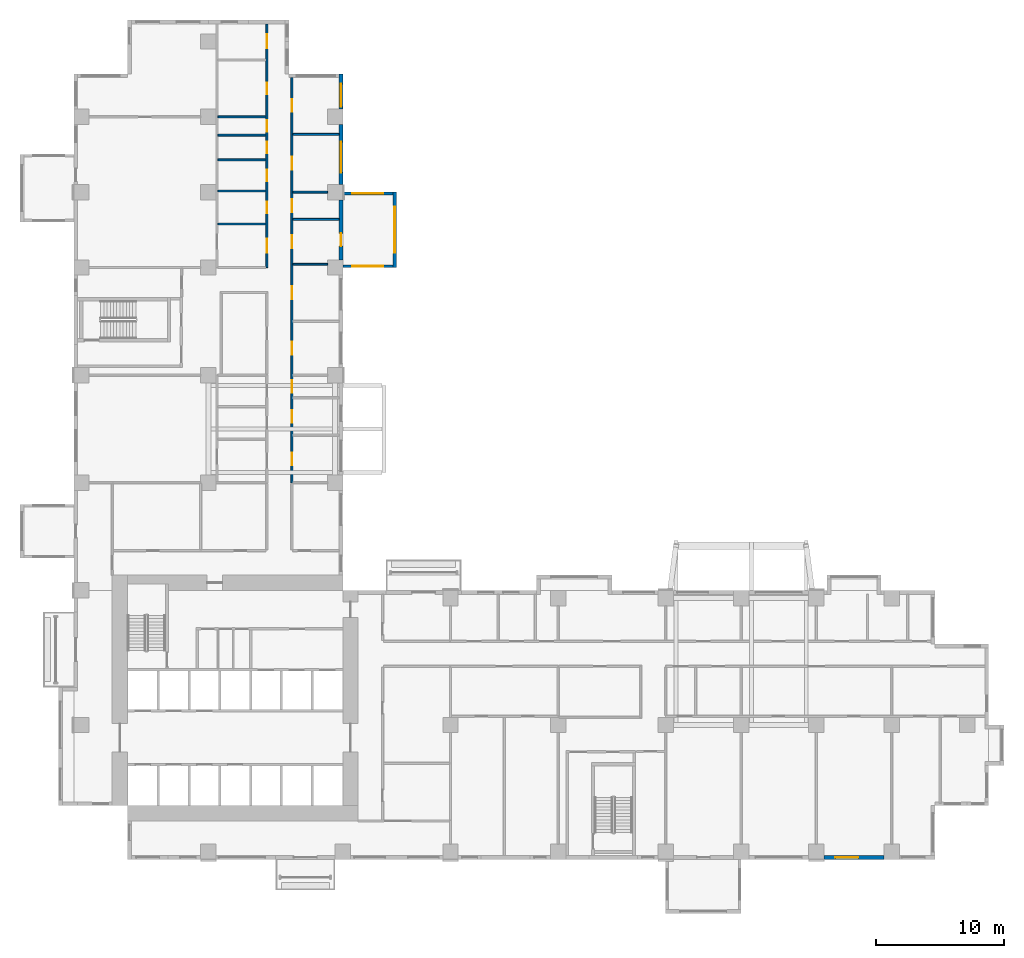
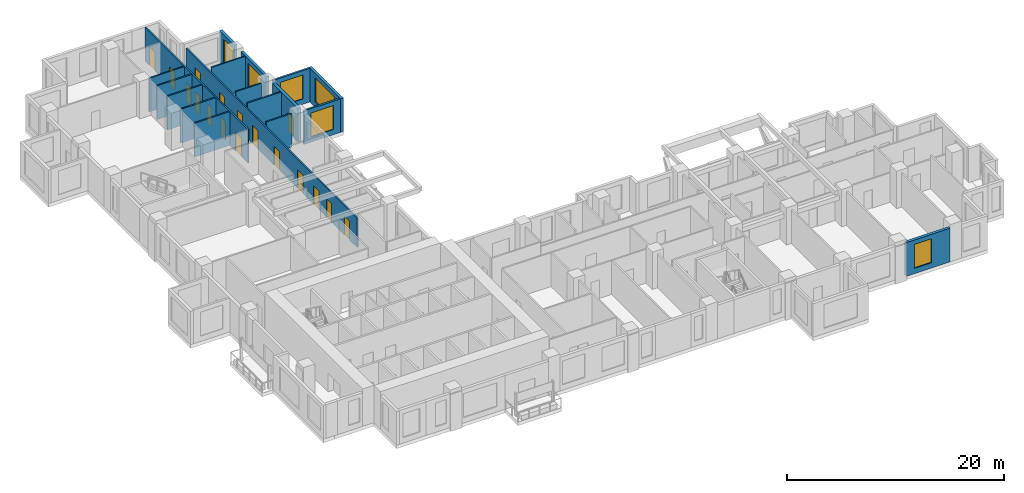
# One storey, part 8 of 14: 18 walls, 17 doors, 6 windows, 23 openings.
"""IFC4 building model written with IfcOpenShell, lengths in metres."""

from ifc_helpers import new_model, si_unit, direction, frame, frame_2d, origin, place, context, subcontext, project, spatial, rectangle, extrude, source, transform, mapped, material, layer, layer_set, type_object, element, fill, save


model = new_model("IFC4")

# Units and contexts
model_context = context("Model", 3, precision=1e-05, world=origin(), true_north=direction((0.0, 1.0)))
body_context = subcontext(model_context, "Body", "Model", "MODEL_VIEW")
ifc_project = project(units=[si_unit("LENGTHUNIT", "METRE"), si_unit("AREAUNIT", "SQUARE_METRE"), si_unit("VOLUMEUNIT", "CUBIC_METRE"), si_unit("PLANEANGLEUNIT", "RADIAN"), si_unit("MASSUNIT", "GRAM", prefix="KILO")], contexts=[model_context])

# Site, building, storey
site_placement = place(None, origin())
site = spatial("IfcSite", under=ifc_project, at=site_placement, CompositionType="ELEMENT")
building_placement = place(site_placement, origin())
building = spatial("IfcBuilding", under=site, at=building_placement, Name="Aurelian Terraces", CompositionType="ELEMENT")
storey_placement = place(building_placement, frame((0.0, 0.0, 44.7)))
storey = spatial("IfcBuildingStorey", under=building, at=storey_placement, Name="L08", CompositionType="ELEMENT", Elevation=44.7)

# Wall, opening, window
ifc_material_1 = material(Name="Terracotta rainscreen cladding", Category="masonry")
ifc_layer_1 = layer(ifc_material_1, 0.3)
ifc_layer_set_1 = layer_set([ifc_layer_1], Name="EW-300")
wall_type_1 = type_object("IfcWallType", Name="EW-300", PredefinedType="STANDARD", material=ifc_layer_set_1)
shared_shape_1 = source(origin(), body_context, "Body", "SweptSolid", [
    extrude(rectangle(XDim=4.68, YDim=0.3, at=frame_2d((2.34, 0.0))), origin(), (0.0, 0.0, 1.0), 3.8),
])
wall_1_placement = place(storey_placement, frame((58.56, 0.15, 0.0), z_axis=(0.0, 0.0, 1.0), x_axis=(1.0, 0.0, 0.0)))
wall_1 = element("IfcWall", 1, at=wall_1_placement, inside=storey, type_object=wall_type_1, Name="External wall L08 F01.10", PredefinedType="STANDARD", context=body_context, shape_type="MappedRepresentation", body=[
    mapped(shared_shape_1, transform((0.0, 0.0, 0.0), scale=1.0)),
])
shared_shape_2 = source(origin(), body_context, "Body", "SweptSolid", [
    extrude(rectangle(XDim=1.8, YDim=2.7, at=frame_2d((0.9, 1.35))), frame((0.0, 0.16, 0.0), z_axis=(0.0, -1.0, 0.0), x_axis=(1.0, 0.0, 0.0)), (0.0, 0.0, 1.0), 0.32),
])
opening_1_placement = place(wall_1_placement, frame((0.8775, 0.0, 0.6)))
opening_1 = element("IfcOpeningElement", 2, at=opening_1_placement, cuts=wall_1, Name="Opening W1827", PredefinedType="OPENING", context=body_context, shape_type="MappedRepresentation", body=[
    mapped(shared_shape_2, transform((0.0, 0.0, 0.0), scale=1.0)),
])
ifc_material_2 = material(Name="Clear glazing", Category="glass")
window_type_1 = type_object("IfcWindowType", Name="W-1800x2700", PartitioningType="SINGLE_PANEL", PredefinedType="WINDOW", material=ifc_material_2)
shared_shape_3 = source(origin(), body_context, "Body", "SweptSolid", [
    extrude(rectangle(XDim=1.8, YDim=2.7, at=frame_2d((0.9, 1.35))), frame((0.0, 0.03, 0.0), z_axis=(0.0, -1.0, 0.0), x_axis=(1.0, 0.0, 0.0)), (0.0, 0.0, 1.0), 0.06),
])
window_1_placement = place(opening_1_placement, origin())
window_1 = element("IfcWindow", 3, at=window_1_placement, inside=storey, type_object=window_type_1, Name="Window L08 L08-F01-10-0", OverallHeight=2.7, OverallWidth=1.8, PartitioningType="SINGLE_PANEL", PredefinedType="WINDOW", context=body_context, shape_type="MappedRepresentation", body=[
    mapped(shared_shape_3, transform((0.0, 0.0, 0.0), scale=1.0)),
])
fill(opening_1, window_1)

# Wall, opening, door
wall_2_placement = place(storey_placement, frame((20.85, 46.8, 0.0), z_axis=(0.0, 0.0, 1.0), x_axis=(0.0, 1.0, 0.0)))
wall_2 = element("IfcWall", 4, at=wall_2_placement, inside=storey, type_object=wall_type_1, Name="External wall L08 F08.31", PredefinedType="STANDARD", context=body_context, shape_type="MappedRepresentation", body=[
    mapped(shared_shape_1, transform((0.0, 0.0, 0.0), scale=1.0)),
])
shared_shape_4 = source(origin(), body_context, "Body", "SweptSolid", [
    extrude(rectangle(XDim=1.0, YDim=2.1, at=frame_2d((0.5, 1.05))), frame((0.0, 0.16, 0.0), z_axis=(0.0, -1.0, 0.0), x_axis=(1.0, 0.0, 0.0)), (0.0, 0.0, 1.0), 0.32),
])
opening_2_placement = place(wall_2_placement, frame((1.07, 0.0, 0.0)))
opening_2 = element("IfcOpeningElement", 5, at=opening_2_placement, cuts=wall_2, Name="Opening 808002", PredefinedType="OPENING", context=body_context, shape_type="MappedRepresentation", body=[
    mapped(shared_shape_4, transform((0.0, 0.0, 0.0), scale=1.0)),
])
ifc_material_3 = material(Name="Timber door leaf", Category="wood")
door_type_1 = type_object("IfcDoorType", Name="Room door 1000x2100 left", OperationType="SINGLE_SWING_LEFT", PredefinedType="DOOR", material=ifc_material_3)
shared_shape_5 = source(origin(), body_context, "Body", "SweptSolid", [
    extrude(rectangle(XDim=1.0, YDim=2.1, at=frame_2d((0.5, 1.05))), frame((0.0, 0.025, 0.0), z_axis=(0.0, -1.0, 0.0), x_axis=(1.0, 0.0, 0.0)), (0.0, 0.0, 1.0), 0.05),
])
door_1_placement = place(opening_2_placement, origin())
door_1 = element("IfcDoor", 6, at=door_1_placement, inside=storey, type_object=door_type_1, Name="Door 808002", OperationType="SINGLE_SWING_LEFT", OverallHeight=2.1, OverallWidth=1.0, PredefinedType="DOOR", context=body_context, shape_type="MappedRepresentation", body=[
    mapped(shared_shape_5, transform((0.0, 0.0, 0.0), scale=1.0)),
])
fill(opening_2, door_1)

# Wall, opening, window
wall_3_placement = place(storey_placement, frame((20.85, 52.68, 0.0), z_axis=(0.0, 0.0, 1.0), x_axis=(0.0, 1.0, 0.0)))
wall_3 = element("IfcWall", 7, at=wall_3_placement, inside=storey, type_object=wall_type_1, Name="External wall L08 F08.32", PredefinedType="STANDARD", context=body_context, shape_type="MappedRepresentation", body=[
    mapped(shared_shape_1, transform((0.0, 0.0, 0.0), scale=1.0)),
])
shared_shape_6 = source(origin(), body_context, "Body", "SweptSolid", [
    extrude(rectangle(XDim=2.4, YDim=2.7, at=frame_2d((1.2, 1.35))), frame((0.0, 0.16, 0.0), z_axis=(0.0, -1.0, 0.0), x_axis=(1.0, 0.0, 0.0)), (0.0, 0.0, 1.0), 0.32),
])
opening_3_placement = place(wall_3_placement, frame((0.936, 0.0, 0.6)))
opening_3 = element("IfcOpeningElement", 8, at=opening_3_placement, cuts=wall_3, Name="Opening W2427", PredefinedType="OPENING", context=body_context, shape_type="MappedRepresentation", body=[
    mapped(shared_shape_6, transform((0.0, 0.0, 0.0), scale=1.0)),
])
window_type_2 = type_object("IfcWindowType", Name="W-2400x2700", PartitioningType="SINGLE_PANEL", PredefinedType="WINDOW", material=ifc_material_2)
shared_shape_7 = source(origin(), body_context, "Body", "SweptSolid", [
    extrude(rectangle(XDim=2.4, YDim=2.7, at=frame_2d((1.2, 1.35))), frame((0.0, 0.03, 0.0), z_axis=(0.0, -1.0, 0.0), x_axis=(1.0, 0.0, 0.0)), (0.0, 0.0, 1.0), 0.06),
])
window_2_placement = place(opening_3_placement, origin())
window_2 = element("IfcWindow", 9, at=window_2_placement, inside=storey, type_object=window_type_2, Name="Window L08 L08-F08-32-0", OverallHeight=2.7, OverallWidth=2.4, PartitioningType="SINGLE_PANEL", PredefinedType="WINDOW", context=body_context, shape_type="MappedRepresentation", body=[
    mapped(shared_shape_7, transform((0.0, 0.0, 0.0), scale=1.0)),
])
fill(opening_3, window_2)

shared_shape_8 = source(origin(), body_context, "Body", "SweptSolid", [
    extrude(rectangle(XDim=2.76, YDim=0.3, at=frame_2d((1.38, 0.0))), origin(), (0.0, 0.0, 1.0), 3.8),
])
wall_4_placement = place(storey_placement, frame((20.85, 58.56, 0.0), z_axis=(0.0, 0.0, 1.0), x_axis=(0.0, 1.0, 0.0)))
wall_4 = element("IfcWall", 10, at=wall_4_placement, inside=storey, type_object=wall_type_1, Name="External wall L08 F08.33", PredefinedType="STANDARD", context=body_context, shape_type="MappedRepresentation", body=[
    mapped(shared_shape_8, transform((0.0, 0.0, 0.0), scale=1.0)),
])
opening_4_placement = place(wall_4_placement, frame((0.18, 0.0, 0.6)))
opening_4 = element("IfcOpeningElement", 11, at=opening_4_placement, cuts=wall_4, Name="Opening W1827", PredefinedType="OPENING", context=body_context, shape_type="MappedRepresentation", body=[
    mapped(shared_shape_2, transform((0.0, 0.0, 0.0), scale=1.0)),
])
window_3_placement = place(opening_4_placement, origin())
window_3 = element("IfcWindow", 12, at=window_3_placement, inside=storey, type_object=window_type_1, Name="Window L08 L08-F08-33-0", OverallHeight=2.7, OverallWidth=1.8, PartitioningType="SINGLE_PANEL", PredefinedType="WINDOW", context=body_context, shape_type="MappedRepresentation", body=[
    mapped(shared_shape_3, transform((0.0, 0.0, 0.0), scale=1.0)),
])
fill(opening_4, window_3)

ifc_material_4 = material(Name="Concrete fc' 40 MPa", Category="concrete")
ifc_layer_2 = layer(ifc_material_4, 0.2)
ifc_layer_set_2 = layer_set([ifc_layer_2], Name="BOX BEARING WALL 200")
wall_type_2 = type_object("IfcWallType", Name="BOX BEARING WALL 200", PredefinedType="SOLIDWALL", material=ifc_layer_set_2)
shared_shape_9 = source(origin(), body_context, "Body", "SweptSolid", [
    extrude(rectangle(XDim=3.9, YDim=0.2, at=frame_2d((1.95, 0.0))), origin(), (0.0, 0.0, 1.0), 3.79),
])
wall_5_placement = place(storey_placement, frame((21.0, 46.3, 0.0), z_axis=(0.0, 0.0, 1.0), x_axis=(1.0, 0.0, 0.0)))
wall_5 = element("IfcWall", 13, at=wall_5_placement, inside=storey, type_object=wall_type_2, Name="Box return L08 J02.1", PredefinedType="SOLIDWALL", context=body_context, shape_type="MappedRepresentation", body=[
    mapped(shared_shape_9, transform((0.0, 0.0, 0.0), scale=1.0)),
])
shared_shape_10 = source(origin(), body_context, "Body", "SweptSolid", [
    extrude(rectangle(XDim=2.4, YDim=2.7, at=frame_2d((1.2, 1.35))), frame((0.0, 0.11, 0.0), z_axis=(0.0, -1.0, 0.0), x_axis=(1.0, 0.0, 0.0)), (0.0, 0.0, 1.0), 0.22),
])
opening_5_placement = place(wall_5_placement, frame((0.75, 0.0, 0.6)))
opening_5 = element("IfcOpeningElement", 14, at=opening_5_placement, cuts=wall_5, Name="Opening W2427", PredefinedType="OPENING", context=body_context, shape_type="MappedRepresentation", body=[
    mapped(shared_shape_10, transform((0.0, 0.0, 0.0), scale=1.0)),
])
window_4_placement = place(opening_5_placement, origin())
window_4 = element("IfcWindow", 15, at=window_4_placement, inside=storey, type_object=window_type_2, Name="Window L08 J02-S1", OverallHeight=2.7, OverallWidth=2.4, PartitioningType="SINGLE_PANEL", PredefinedType="WINDOW", context=body_context, shape_type="MappedRepresentation", body=[
    mapped(shared_shape_7, transform((0.0, 0.0, 0.0), scale=1.0)),
])
fill(opening_5, window_4)

wall_6_placement = place(storey_placement, frame((21.0, 51.98, 0.0), z_axis=(0.0, 0.0, 1.0), x_axis=(1.0, 0.0, 0.0)))
wall_6 = element("IfcWall", 16, at=wall_6_placement, inside=storey, type_object=wall_type_2, Name="Box return L08 J02.2", PredefinedType="SOLIDWALL", context=body_context, shape_type="MappedRepresentation", body=[
    mapped(shared_shape_9, transform((0.0, 0.0, 0.0), scale=1.0)),
])
opening_6_placement = place(wall_6_placement, frame((0.75, 0.0, 0.6)))
opening_6 = element("IfcOpeningElement", 17, at=opening_6_placement, cuts=wall_6, Name="Opening W2427", PredefinedType="OPENING", context=body_context, shape_type="MappedRepresentation", body=[
    mapped(shared_shape_10, transform((0.0, 0.0, 0.0), scale=1.0)),
])
window_5_placement = place(opening_6_placement, origin())
window_5 = element("IfcWindow", 18, at=window_5_placement, inside=storey, type_object=window_type_2, Name="Window L08 J02-S2", OverallHeight=2.7, OverallWidth=2.4, PartitioningType="SINGLE_PANEL", PredefinedType="WINDOW", context=body_context, shape_type="MappedRepresentation", body=[
    mapped(shared_shape_7, transform((0.0, 0.0, 0.0), scale=1.0)),
])
fill(opening_6, window_5)

ifc_layer_3 = layer(ifc_material_4, 0.3)
ifc_layer_set_3 = layer_set([ifc_layer_3], Name="BOX BEARING WALL 300")
wall_type_3 = type_object("IfcWallType", Name="BOX BEARING WALL 300", PredefinedType="SOLIDWALL", material=ifc_layer_set_3)
shared_shape_11 = source(origin(), body_context, "Body", "SweptSolid", [
    extrude(rectangle(XDim=5.88, YDim=0.3, at=frame_2d((2.94, 0.0))), origin(), (0.0, 0.0, 1.0), 3.79),
])
wall_7_placement = place(storey_placement, frame((25.05, 46.2, 0.0), z_axis=(0.0, 0.0, 1.0), x_axis=(0.0, 1.0, 0.0)))
wall_7 = element("IfcWall", 19, at=wall_7_placement, inside=storey, type_object=wall_type_3, Name="Box wall L08 J02", PredefinedType="SOLIDWALL", context=body_context, shape_type="MappedRepresentation", body=[
    mapped(shared_shape_11, transform((0.0, 0.0, 0.0), scale=1.0)),
])
shared_shape_12 = source(origin(), body_context, "Body", "SweptSolid", [
    extrude(rectangle(XDim=3.6, YDim=2.7, at=frame_2d((1.8, 1.35))), frame((0.0, 0.16, 0.0), z_axis=(0.0, -1.0, 0.0), x_axis=(1.0, 0.0, 0.0)), (0.0, 0.0, 1.0), 0.32),
])
opening_7_placement = place(wall_7_placement, frame((1.14, 0.0, 0.6)))
opening_7 = element("IfcOpeningElement", 20, at=opening_7_placement, cuts=wall_7, Name="Opening W3627", PredefinedType="OPENING", context=body_context, shape_type="MappedRepresentation", body=[
    mapped(shared_shape_12, transform((0.0, 0.0, 0.0), scale=1.0)),
])
window_type_3 = type_object("IfcWindowType", Name="W-3600x2700", PartitioningType="SINGLE_PANEL", PredefinedType="WINDOW", material=ifc_material_2)
shared_shape_13 = source(origin(), body_context, "Body", "SweptSolid", [
    extrude(rectangle(XDim=3.6, YDim=2.7, at=frame_2d((1.8, 1.35))), frame((0.0, 0.03, 0.0), z_axis=(0.0, -1.0, 0.0), x_axis=(1.0, 0.0, 0.0)), (0.0, 0.0, 1.0), 0.06),
])
window_6_placement = place(opening_7_placement, origin())
window_6 = element("IfcWindow", 21, at=window_6_placement, inside=storey, type_object=window_type_3, Name="Window L08 J02-F1", OverallHeight=2.7, OverallWidth=3.6, PartitioningType="SINGLE_PANEL", PredefinedType="WINDOW", context=body_context, shape_type="MappedRepresentation", body=[
    mapped(shared_shape_13, transform((0.0, 0.0, 0.0), scale=1.0)),
])
fill(opening_7, window_6)

# Walls
ifc_material_5 = material(Name="Gypsum board on steel studs", Category="steel")
ifc_layer_4 = layer(ifc_material_5, 0.15)
ifc_layer_set_4 = layer_set([ifc_layer_4], Name="Partition 150")
wall_type_4 = type_object("IfcWallType", Name="Partition 150", PredefinedType="PARTITIONING", material=ifc_layer_set_4)
shared_shape_14 = source(origin(), body_context, "Body", "SweptSolid", [
    extrude(rectangle(XDim=3.75, YDim=0.15, at=frame_2d((1.875, 0.0))), origin(), (0.0, 0.0, 1.0), 3.8),
])
for number, where, z_axis, x_axis, name in (
    (22, (15.0, 49.5956, 0.0), (0.0, 0.0, 1.0), (-1.0, 0.0, 0.0), "Partition"),
    (23, (15.0, 52.1727, 0.0), (0.0, 0.0, 1.0), (-1.0, 0.0, 0.0), "Partition"),
    (24, (15.0, 54.6033, 0.0), (0.0, 0.0, 1.0), (-1.0, 0.0, 0.0), "Partition"),
    (25, (15.0, 56.5361, 0.0), (0.0, 0.0, 1.0), (-1.0, 0.0, 0.0), "Partition"),
    (26, (15.0, 57.96, 0.0), (0.0, 0.0, 1.0), (-1.0, 0.0, 0.0), "Partition"),
):
    element("IfcWall", number, at=place(storey_placement, frame(where, z_axis=z_axis, x_axis=x_axis)), inside=storey, type_object=wall_type_4, Name=name, PredefinedType="PARTITIONING", context=body_context, shape_type="MappedRepresentation", body=[
        mapped(shared_shape_14, transform((0.0, 0.0, 0.0), scale=1.0)),
    ])
shared_shape_15 = source(origin(), body_context, "Body", "SweptSolid", [
    extrude(rectangle(XDim=3.6, YDim=0.15, at=frame_2d((1.8, 0.0))), origin(), (0.0, 0.0, 1.0), 3.8),
])
for number, where, z_axis, x_axis, name in (
    (27, (17.1, 49.9576, 0.0), (0.0, 0.0, 1.0), (1.0, 0.0, 0.0), "Partition"),
    (28, (17.1, 56.5875, 0.0), (0.0, 0.0, 1.0), (1.0, 0.0, 0.0), "Partition"),
):
    element("IfcWall", number, at=place(storey_placement, frame(where, z_axis=z_axis, x_axis=x_axis)), inside=storey, type_object=wall_type_4, Name=name, PredefinedType="PARTITIONING", context=body_context, shape_type="MappedRepresentation", body=[
        mapped(shared_shape_15, transform((0.0, 0.0, 0.0), scale=1.0)),
    ])
shared_shape_16 = source(origin(), body_context, "Body", "SweptSolid", [
    extrude(rectangle(XDim=2.701, YDim=0.15, at=frame_2d((1.3505, 0.0))), origin(), (0.0, 0.0, 1.0), 3.8),
])
for number, where, z_axis, x_axis, name in (
    (29, (17.1, 46.4542, 0.0), (0.0, 0.0, 1.0), (1.0, 0.0, 0.0), "Partition"),
    (30, (19.801, 52.08, 0.0), (0.0, 0.0, 1.0), (-1.0, 0.0, 0.0), "Partition"),
):
    element("IfcWall", number, at=place(storey_placement, frame(where, z_axis=z_axis, x_axis=x_axis)), inside=storey, type_object=wall_type_4, Name=name, PredefinedType="PARTITIONING", context=body_context, shape_type="MappedRepresentation", body=[
        mapped(shared_shape_16, transform((0.0, 0.0, 0.0), scale=1.0)),
    ])

# Wall, openings, doors
ifc_layer_5 = layer(ifc_material_5, 0.15)
ifc_layer_set_5 = layer_set([ifc_layer_5], Name="Fire partition 150")
wall_type_5 = type_object("IfcWallType", Name="Fire partition 150", PredefinedType="PARTITIONING", material=ifc_layer_set_5)
shared_shape_17 = source(origin(), body_context, "Body", "SweptSolid", [
    extrude(rectangle(XDim=19.02, YDim=0.15, at=frame_2d((9.51, 0.0))), origin(), (0.0, 0.0, 1.0), 3.8),
])
wall_8_placement = place(storey_placement, frame((15.075, 46.2, 0.0), z_axis=(0.0, 0.0, 1.0), x_axis=(0.0, 1.0, 0.0)))
wall_8 = element("IfcWall", 31, at=wall_8_placement, inside=storey, type_object=wall_type_5, Name="Corridor wall", PredefinedType="PARTITIONING", context=body_context, shape_type="MappedRepresentation", body=[
    mapped(shared_shape_17, transform((0.0, 0.0, 0.0), scale=1.0)),
])
shared_shape_18 = source(origin(), body_context, "Body", "SweptSolid", [
    extrude(rectangle(XDim=1.1, YDim=2.1, at=frame_2d((0.55, 1.05))), frame((0.0, 0.085, 0.0), z_axis=(0.0, -1.0, 0.0), x_axis=(1.0, 0.0, 0.0)), (0.0, 0.0, 1.0), 0.17),
])
opening_8_placement = place(wall_8_placement, frame((1.1478, 0.0, 0.0)))
opening_8 = element("IfcOpeningElement", 32, at=opening_8_placement, cuts=wall_8, Name="Opening 708038", PredefinedType="OPENING", context=body_context, shape_type="MappedRepresentation", body=[
    mapped(shared_shape_18, transform((0.0, 0.0, 0.0), scale=1.0)),
])
shared_shape_19 = source(origin(), body_context, "Body", "SweptSolid", [
    extrude(rectangle(XDim=0.9, YDim=2.1, at=frame_2d((0.45, 1.05))), frame((0.0, 0.085, 0.0), z_axis=(0.0, -1.0, 0.0), x_axis=(1.0, 0.0, 0.0)), (0.0, 0.0, 1.0), 0.17),
])
opening_9_placement = place(wall_8_placement, frame((4.2341, 0.0, 0.0)))
opening_9 = element("IfcOpeningElement", 33, at=opening_9_placement, cuts=wall_8, Name="Opening 708040", PredefinedType="OPENING", context=body_context, shape_type="MappedRepresentation", body=[
    mapped(shared_shape_19, transform((0.0, 0.0, 0.0), scale=1.0)),
])
opening_10_placement = place(wall_8_placement, frame((6.738, 0.0, 0.0)))
opening_10 = element("IfcOpeningElement", 34, at=opening_10_placement, cuts=wall_8, Name="Opening 708041", PredefinedType="OPENING", context=body_context, shape_type="MappedRepresentation", body=[
    mapped(shared_shape_19, transform((0.0, 0.0, 0.0), scale=1.0)),
])
opening_11_placement = place(wall_8_placement, frame((8.9197, 0.0, 0.0)))
opening_11 = element("IfcOpeningElement", 35, at=opening_11_placement, cuts=wall_8, Name="Opening 708042", PredefinedType="OPENING", context=body_context, shape_type="MappedRepresentation", body=[
    mapped(shared_shape_19, transform((0.0, 0.0, 0.0), scale=1.0)),
])
opening_12_placement = place(wall_8_placement, frame((10.5981, 0.0, 0.0)))
opening_12 = element("IfcOpeningElement", 36, at=opening_12_placement, cuts=wall_8, Name="Opening 708043", PredefinedType="OPENING", context=body_context, shape_type="MappedRepresentation", body=[
    mapped(shared_shape_19, transform((0.0, 0.0, 0.0), scale=1.0)),
])
opening_13_placement = place(wall_8_placement, frame((17.0968, 0.0, 0.0)))
opening_13 = element("IfcOpeningElement", 37, at=opening_13_placement, cuts=wall_8, Name="Opening 708044", PredefinedType="OPENING", context=body_context, shape_type="MappedRepresentation", body=[
    mapped(shared_shape_18, transform((0.0, 0.0, 0.0), scale=1.0)),
])
opening_14_placement = place(wall_8_placement, frame((13.5293, 0.0, 0.0)))
opening_14 = element("IfcOpeningElement", 38, at=opening_14_placement, cuts=wall_8, Name="Opening 708045", PredefinedType="OPENING", context=body_context, shape_type="MappedRepresentation", body=[
    mapped(shared_shape_19, transform((0.0, 0.0, 0.0), scale=1.0)),
])
door_type_2 = type_object("IfcDoorType", Name="Room door 900x2100 right", OperationType="SINGLE_SWING_RIGHT", PredefinedType="DOOR", material=ifc_material_3)
shared_shape_20 = source(origin(), body_context, "Body", "SweptSolid", [
    extrude(rectangle(XDim=0.9, YDim=2.1, at=frame_2d((0.45, 1.05))), frame((0.0, 0.025, 0.0), z_axis=(0.0, -1.0, 0.0), x_axis=(1.0, 0.0, 0.0)), (0.0, 0.0, 1.0), 0.05),
])
door_2_placement = place(opening_9_placement, origin())
door_2 = element("IfcDoor", 39, at=door_2_placement, inside=storey, type_object=door_type_2, Name="Door 708040", OperationType="SINGLE_SWING_RIGHT", OverallHeight=2.1, OverallWidth=0.9, PredefinedType="DOOR", context=body_context, shape_type="MappedRepresentation", body=[
    mapped(shared_shape_20, transform((0.0, 0.0, 0.0), scale=1.0)),
])
fill(opening_9, door_2)
door_type_3 = type_object("IfcDoorType", Name="Room door 900x2100 left", OperationType="SINGLE_SWING_LEFT", PredefinedType="DOOR", material=ifc_material_3)
door_3_placement = place(opening_10_placement, origin())
door_3 = element("IfcDoor", 40, at=door_3_placement, inside=storey, type_object=door_type_3, Name="Door 708041", OperationType="SINGLE_SWING_LEFT", OverallHeight=2.1, OverallWidth=0.9, PredefinedType="DOOR", context=body_context, shape_type="MappedRepresentation", body=[
    mapped(shared_shape_20, transform((0.0, 0.0, 0.0), scale=1.0)),
])
fill(opening_10, door_3)
door_4_placement = place(opening_11_placement, origin())
door_4 = element("IfcDoor", 41, at=door_4_placement, inside=storey, type_object=door_type_2, Name="Door 708042", OperationType="SINGLE_SWING_RIGHT", OverallHeight=2.1, OverallWidth=0.9, PredefinedType="DOOR", context=body_context, shape_type="MappedRepresentation", body=[
    mapped(shared_shape_20, transform((0.0, 0.0, 0.0), scale=1.0)),
])
fill(opening_11, door_4)
door_5_placement = place(opening_12_placement, origin())
door_5 = element("IfcDoor", 42, at=door_5_placement, inside=storey, type_object=door_type_3, Name="Door 708043", OperationType="SINGLE_SWING_LEFT", OverallHeight=2.1, OverallWidth=0.9, PredefinedType="DOOR", context=body_context, shape_type="MappedRepresentation", body=[
    mapped(shared_shape_20, transform((0.0, 0.0, 0.0), scale=1.0)),
])
fill(opening_12, door_5)
door_6_placement = place(opening_14_placement, origin())
door_6 = element("IfcDoor", 43, at=door_6_placement, inside=storey, type_object=door_type_2, Name="Door 708045", OperationType="SINGLE_SWING_RIGHT", OverallHeight=2.1, OverallWidth=0.9, PredefinedType="DOOR", context=body_context, shape_type="MappedRepresentation", body=[
    mapped(shared_shape_20, transform((0.0, 0.0, 0.0), scale=1.0)),
])
fill(opening_14, door_6)
door_type_4 = type_object("IfcDoorType", Name="Room door 1100x2100 right", OperationType="SINGLE_SWING_RIGHT", PredefinedType="DOOR", material=ifc_material_3)
shared_shape_21 = source(origin(), body_context, "Body", "SweptSolid", [
    extrude(rectangle(XDim=1.1, YDim=2.1, at=frame_2d((0.55, 1.05))), frame((0.0, 0.025, 0.0), z_axis=(0.0, -1.0, 0.0), x_axis=(1.0, 0.0, 0.0)), (0.0, 0.0, 1.0), 0.05),
])
door_7_placement = place(opening_8_placement, origin())
door_7 = element("IfcDoor", 44, at=door_7_placement, inside=storey, type_object=door_type_4, Name="Door 708038", OperationType="SINGLE_SWING_RIGHT", OverallHeight=2.1, OverallWidth=1.1, PredefinedType="DOOR", context=body_context, shape_type="MappedRepresentation", body=[
    mapped(shared_shape_21, transform((0.0, 0.0, 0.0), scale=1.0)),
])
fill(opening_8, door_7)
door_8_placement = place(opening_13_placement, origin())
door_8 = element("IfcDoor", 45, at=door_8_placement, inside=storey, type_object=door_type_4, Name="Door 708044", OperationType="SINGLE_SWING_RIGHT", OverallHeight=2.1, OverallWidth=1.1, PredefinedType="DOOR", context=body_context, shape_type="MappedRepresentation", body=[
    mapped(shared_shape_21, transform((0.0, 0.0, 0.0), scale=1.0)),
])
fill(opening_13, door_8)

shared_shape_22 = source(origin(), body_context, "Body", "SweptSolid", [
    extrude(rectangle(XDim=31.62, YDim=0.15, at=frame_2d((15.81, 0.0))), origin(), (0.0, 0.0, 1.0), 3.3),
])
wall_9_placement = place(storey_placement, frame((17.025, 61.02, 0.0), z_axis=(0.0, 0.0, 1.0), x_axis=(0.0, -1.0, 0.0)))
wall_9 = element("IfcWall", 46, at=wall_9_placement, inside=storey, type_object=wall_type_5, Name="Corridor wall", PredefinedType="PARTITIONING", context=body_context, shape_type="MappedRepresentation", body=[
    mapped(shared_shape_22, transform((0.0, 0.0, 0.0), scale=1.0)),
])
shared_shape_23 = source(origin(), body_context, "Body", "SweptSolid", [
    extrude(rectangle(XDim=1.0, YDim=2.1, at=frame_2d((0.5, 1.05))), frame((0.0, 0.085, 0.0), z_axis=(0.0, -1.0, 0.0), x_axis=(1.0, 0.0, 0.0)), (0.0, 0.0, 1.0), 0.17),
])
opening_15_placement = place(wall_9_placement, frame((29.2633, 0.0, 0.0)))
opening_15 = element("IfcOpeningElement", 47, at=opening_15_placement, cuts=wall_9, Name="Opening 708046", PredefinedType="OPENING", context=body_context, shape_type="MappedRepresentation", body=[
    mapped(shared_shape_23, transform((0.0, 0.0, 0.0), scale=1.0)),
])
opening_16_placement = place(wall_9_placement, frame((25.9514, 0.0, 0.0)))
opening_16 = element("IfcOpeningElement", 48, at=opening_16_placement, cuts=wall_9, Name="Opening 708047", PredefinedType="OPENING", context=body_context, shape_type="MappedRepresentation", body=[
    mapped(shared_shape_23, transform((0.0, 0.0, 0.0), scale=1.0)),
])
opening_17_placement = place(wall_9_placement, frame((23.608, 0.0, 0.0)))
opening_17 = element("IfcOpeningElement", 49, at=opening_17_placement, cuts=wall_9, Name="Opening 708048", PredefinedType="OPENING", context=body_context, shape_type="MappedRepresentation", body=[
    mapped(shared_shape_23, transform((0.0, 0.0, 0.0), scale=1.0)),
])
opening_18_placement = place(wall_9_placement, frame((20.62, 0.0, 0.0)))
opening_18 = element("IfcOpeningElement", 50, at=opening_18_placement, cuts=wall_9, Name="Opening 708049", PredefinedType="OPENING", context=body_context, shape_type="MappedRepresentation", body=[
    mapped(shared_shape_23, transform((0.0, 0.0, 0.0), scale=1.0)),
])
opening_19_placement = place(wall_9_placement, frame((16.2929, 0.0, 0.0)))
opening_19 = element("IfcOpeningElement", 51, at=opening_19_placement, cuts=wall_9, Name="Opening 708050", PredefinedType="OPENING", context=body_context, shape_type="MappedRepresentation", body=[
    mapped(shared_shape_23, transform((0.0, 0.0, 0.0), scale=1.0)),
])
opening_20_placement = place(wall_9_placement, frame((12.3141, 0.0, 0.0)))
opening_20 = element("IfcOpeningElement", 52, at=opening_20_placement, cuts=wall_9, Name="Opening 708051", PredefinedType="OPENING", context=body_context, shape_type="MappedRepresentation", body=[
    mapped(shared_shape_23, transform((0.0, 0.0, 0.0), scale=1.0)),
])
opening_21_placement = place(wall_9_placement, frame((9.5012, 0.0, 0.0)))
opening_21 = element("IfcOpeningElement", 53, at=opening_21_placement, cuts=wall_9, Name="Opening 708052", PredefinedType="OPENING", context=body_context, shape_type="MappedRepresentation", body=[
    mapped(shared_shape_23, transform((0.0, 0.0, 0.0), scale=1.0)),
])
opening_22_placement = place(wall_9_placement, frame((6.1862, 0.0, 0.0)))
opening_22 = element("IfcOpeningElement", 54, at=opening_22_placement, cuts=wall_9, Name="Opening 708053", PredefinedType="OPENING", context=body_context, shape_type="MappedRepresentation", body=[
    mapped(shared_shape_23, transform((0.0, 0.0, 0.0), scale=1.0)),
])
opening_23_placement = place(wall_9_placement, frame((1.6788, 0.0, 0.0)))
opening_23 = element("IfcOpeningElement", 55, at=opening_23_placement, cuts=wall_9, Name="Opening 708054", PredefinedType="OPENING", context=body_context, shape_type="MappedRepresentation", body=[
    mapped(shared_shape_23, transform((0.0, 0.0, 0.0), scale=1.0)),
])
door_type_5 = type_object("IfcDoorType", Name="Room door 1000x2100 right", OperationType="SINGLE_SWING_RIGHT", PredefinedType="DOOR", material=ifc_material_3)
door_9_placement = place(opening_15_placement, origin())
door_9 = element("IfcDoor", 56, at=door_9_placement, inside=storey, type_object=door_type_5, Name="Door 708046", OperationType="SINGLE_SWING_RIGHT", OverallHeight=2.1, OverallWidth=1.0, PredefinedType="DOOR", context=body_context, shape_type="MappedRepresentation", body=[
    mapped(shared_shape_5, transform((0.0, 0.0, 0.0), scale=1.0)),
])
fill(opening_15, door_9)
door_10_placement = place(opening_16_placement, origin())
door_10 = element("IfcDoor", 57, at=door_10_placement, inside=storey, type_object=door_type_1, Name="Door 708047", OperationType="SINGLE_SWING_LEFT", OverallHeight=2.1, OverallWidth=1.0, PredefinedType="DOOR", context=body_context, shape_type="MappedRepresentation", body=[
    mapped(shared_shape_5, transform((0.0, 0.0, 0.0), scale=1.0)),
])
fill(opening_16, door_10)
door_11_placement = place(opening_17_placement, origin())
door_11 = element("IfcDoor", 58, at=door_11_placement, inside=storey, type_object=door_type_5, Name="Door 708048", OperationType="SINGLE_SWING_RIGHT", OverallHeight=2.1, OverallWidth=1.0, PredefinedType="DOOR", context=body_context, shape_type="MappedRepresentation", body=[
    mapped(shared_shape_5, transform((0.0, 0.0, 0.0), scale=1.0)),
])
fill(opening_17, door_11)
door_12_placement = place(opening_18_placement, origin())
door_12 = element("IfcDoor", 59, at=door_12_placement, inside=storey, type_object=door_type_5, Name="Door 708049", OperationType="SINGLE_SWING_RIGHT", OverallHeight=2.1, OverallWidth=1.0, PredefinedType="DOOR", context=body_context, shape_type="MappedRepresentation", body=[
    mapped(shared_shape_5, transform((0.0, 0.0, 0.0), scale=1.0)),
])
fill(opening_18, door_12)
door_13_placement = place(opening_19_placement, origin())
door_13 = element("IfcDoor", 60, at=door_13_placement, inside=storey, type_object=door_type_5, Name="Door 708050", OperationType="SINGLE_SWING_RIGHT", OverallHeight=2.1, OverallWidth=1.0, PredefinedType="DOOR", context=body_context, shape_type="MappedRepresentation", body=[
    mapped(shared_shape_5, transform((0.0, 0.0, 0.0), scale=1.0)),
])
fill(opening_19, door_13)
door_14_placement = place(opening_20_placement, origin())
door_14 = element("IfcDoor", 61, at=door_14_placement, inside=storey, type_object=door_type_1, Name="Door 708051", OperationType="SINGLE_SWING_LEFT", OverallHeight=2.1, OverallWidth=1.0, PredefinedType="DOOR", context=body_context, shape_type="MappedRepresentation", body=[
    mapped(shared_shape_5, transform((0.0, 0.0, 0.0), scale=1.0)),
])
fill(opening_20, door_14)
door_15_placement = place(opening_21_placement, origin())
door_15 = element("IfcDoor", 62, at=door_15_placement, inside=storey, type_object=door_type_5, Name="Door 708052", OperationType="SINGLE_SWING_RIGHT", OverallHeight=2.1, OverallWidth=1.0, PredefinedType="DOOR", context=body_context, shape_type="MappedRepresentation", body=[
    mapped(shared_shape_5, transform((0.0, 0.0, 0.0), scale=1.0)),
])
fill(opening_21, door_15)
door_16_placement = place(opening_22_placement, origin())
door_16 = element("IfcDoor", 63, at=door_16_placement, inside=storey, type_object=door_type_5, Name="Door 708053", OperationType="SINGLE_SWING_RIGHT", OverallHeight=2.1, OverallWidth=1.0, PredefinedType="DOOR", context=body_context, shape_type="MappedRepresentation", body=[
    mapped(shared_shape_5, transform((0.0, 0.0, 0.0), scale=1.0)),
])
fill(opening_22, door_16)
door_17_placement = place(opening_23_placement, origin())
door_17 = element("IfcDoor", 64, at=door_17_placement, inside=storey, type_object=door_type_1, Name="Door 708054", OperationType="SINGLE_SWING_LEFT", OverallHeight=2.1, OverallWidth=1.0, PredefinedType="DOOR", context=body_context, shape_type="MappedRepresentation", body=[
    mapped(shared_shape_5, transform((0.0, 0.0, 0.0), scale=1.0)),
])
fill(opening_23, door_17)

save(model, "model.ifc")
